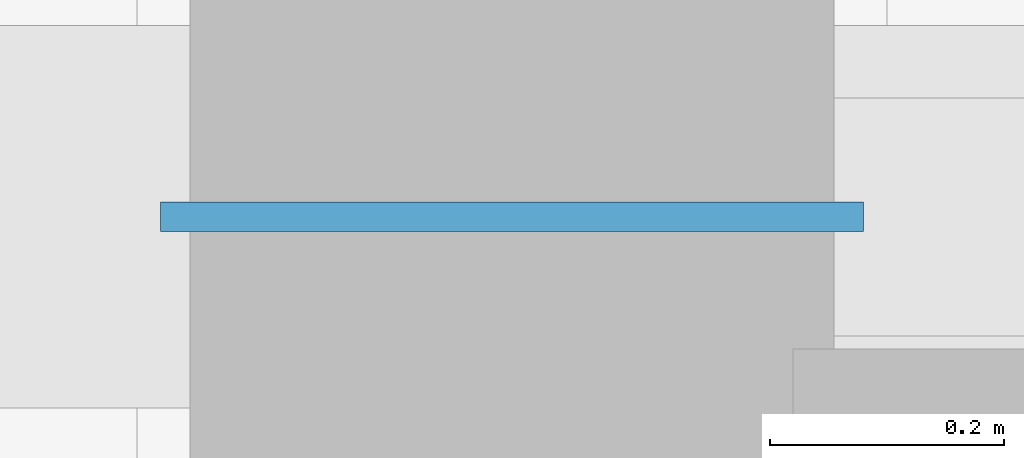
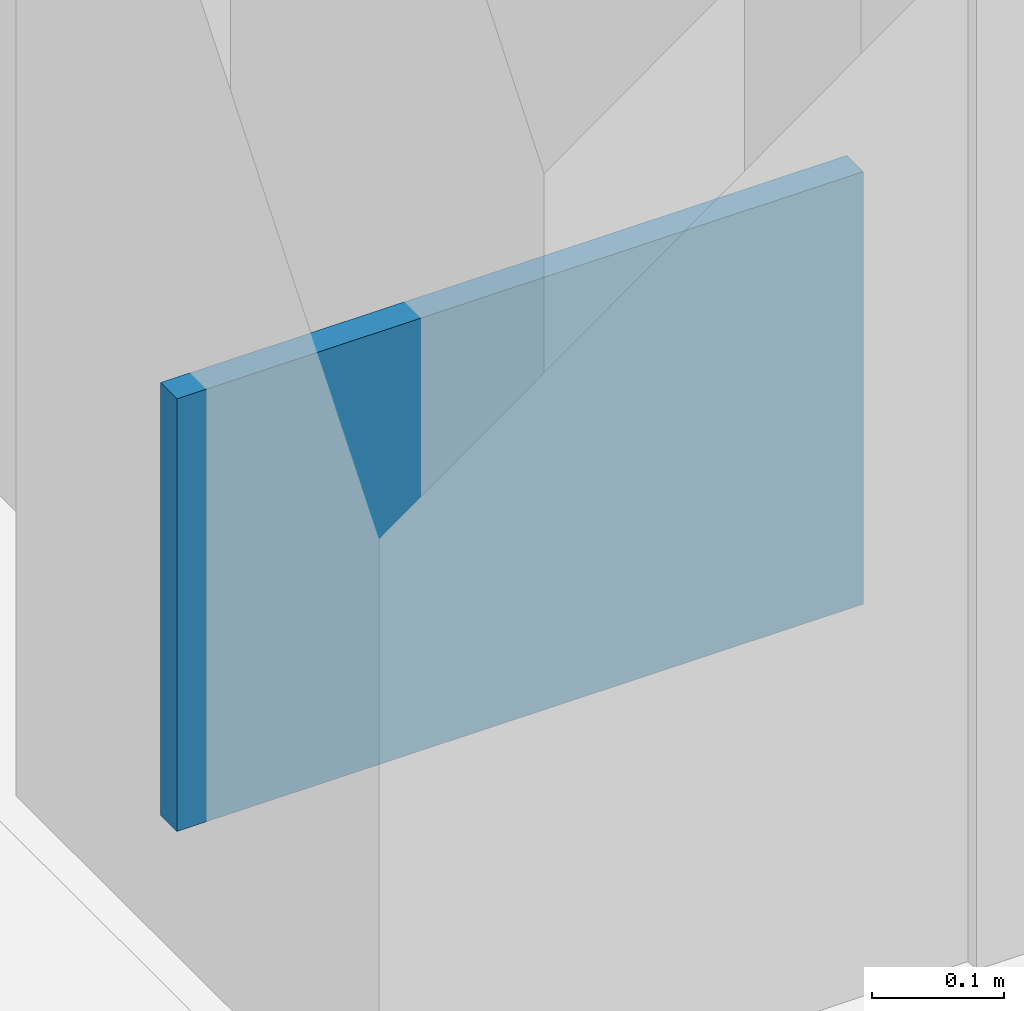
# One storey, part 130 of 157: 1 plate.
"""IFC4 building model written with IfcOpenShell, lengths in metres."""

from ifc_helpers import new_model, si_unit, direction, frame, origin, origin_2d, place, context, subcontext, project, spatial, rectangle, extrude, material, layer, layer_set, type_object, element, save


model = new_model("IFC4")

# Units and contexts
model_context = context("Model", 3, precision=1e-05, world=origin(), true_north=direction((0.0, 1.0)))
body_context = subcontext(model_context, "Body", "Model", "MODEL_VIEW")
ifc_project = project(units=[si_unit("LENGTHUNIT", "METRE"), si_unit("AREAUNIT", "SQUARE_METRE"), si_unit("VOLUMEUNIT", "CUBIC_METRE"), si_unit("PLANEANGLEUNIT", "RADIAN"), si_unit("MASSUNIT", "GRAM", prefix="KILO")], contexts=[model_context])

# Site, building, storey
site_placement = place(None, origin())
site = spatial("IfcSite", under=ifc_project, at=site_placement, CompositionType="ELEMENT")
building_placement = place(site_placement, origin())
building = spatial("IfcBuilding", under=site, at=building_placement, Name="Chalmorin Arch Market", CompositionType="ELEMENT")
storey_placement = place(building_placement, frame((0.0, 0.0, 4.800048828125)))
storey = spatial("IfcBuildingStorey", under=building, at=storey_placement, Name="L01", CompositionType="ELEMENT", Elevation=4.800048828125)

# Plate
ifc_material = material(Name="Steel A572 Grade 50", Category="steel")
ifc_layer = layer(ifc_material, 0.02490234375)
ifc_layer_set = layer_set([ifc_layer], Name="Steel A572 Grade 50")
plate_type = type_object("IfcPlateType", Name="NodeGussetPlate-600x400x25", PredefinedType="SHEET", material=ifc_layer_set)
plate_placement = place(storey_placement, frame((67.199951171875, 81.60009765625, 0.14990234375), z_axis=(0.0, 0.0, 1.0), x_axis=(1.0, 0.0, 0.0)))
element("IfcPlate", 1, at=plate_placement, inside=storey, type_object=plate_type, Name="GP-01-168", PredefinedType="SHEET", context=body_context, shape_type="SweptSolid", body=[
    extrude(rectangle(XDim=0.60009765625, YDim=0.02490234375, at=origin_2d()), origin(), (0.0, 0.0, 1.0), 0.39990234375),
])

save(model, "model.ifc")
